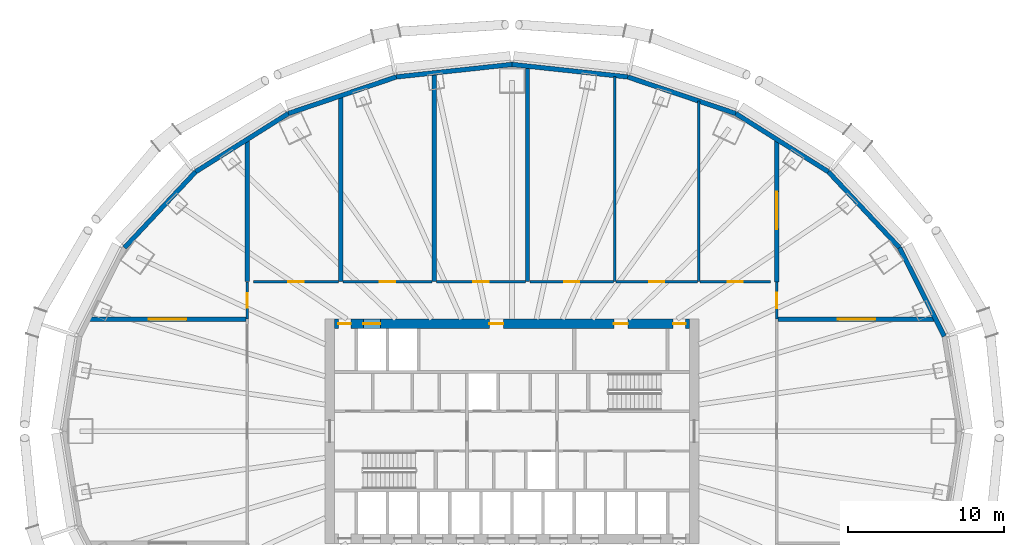
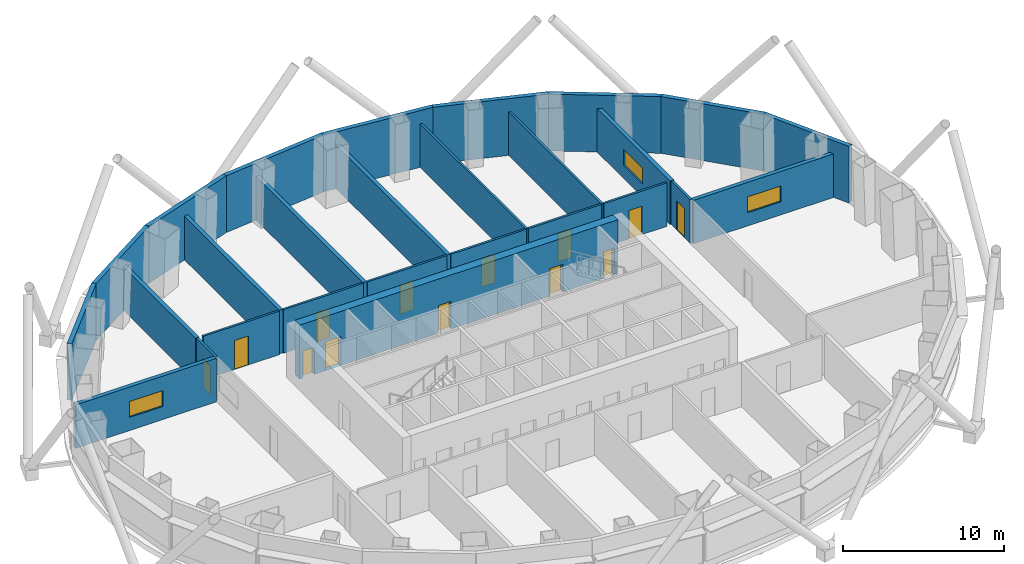
# One storey, part 6 of 14: 27 walls, 13 doors, 3 windows, 16 openings.
"""IFC4 building model written with IfcOpenShell, lengths in metres."""

from ifc_helpers import new_model, si_unit, direction, frame, frame_2d, origin, place, context, subcontext, project, spatial, rectangle, extrude, material, layer, layer_set, type_object, element, fill, save


model = new_model("IFC4")

# Units and contexts
model_context = context("Model", 3, precision=1e-05, world=origin(), true_north=direction((0.0, 1.0)))
body_context = subcontext(model_context, "Body", "Model", "MODEL_VIEW")
ifc_project = project(units=[si_unit("LENGTHUNIT", "METRE"), si_unit("AREAUNIT", "SQUARE_METRE"), si_unit("VOLUMEUNIT", "CUBIC_METRE"), si_unit("PLANEANGLEUNIT", "RADIAN"), si_unit("MASSUNIT", "GRAM", prefix="KILO")], contexts=[model_context])

# Site, building, storey
site_placement = place(None, origin())
site = spatial("IfcSite", under=ifc_project, at=site_placement, CompositionType="ELEMENT")
building_placement = place(site_placement, origin())
building = spatial("IfcBuilding", under=site, at=building_placement, Name="Siaravel Broadcast Tower", CompositionType="ELEMENT")
storey_placement = place(building_placement, frame((0.0, 0.0, 20.0)))
storey = spatial("IfcBuildingStorey", under=building, at=storey_placement, Name="L03", CompositionType="ELEMENT", Elevation=20.0)

# Walls
ifc_material_1 = material(Name="Double-leaf acoustic partition", Category="gypsum")
ifc_layer_1 = layer(ifc_material_1, 0.280029296875)
ifc_layer_set_1 = layer_set([ifc_layer_1], Name="Double-leaf acoustic partition")
wall_type_1 = type_object("IfcWallType", Name="Acoustic double-leaf wall 280", PredefinedType="PARTITIONING", material=ifc_layer_set_1)
wall_1_placement = place(storey_placement, frame((1.0, 9.60009765625, 0.0), z_axis=(0.0, 0.0, 1.0), x_axis=(0.0, 1.0, 0.0)))
element("IfcWall", 1, at=wall_1_placement, inside=storey, type_object=wall_type_1, Name="L03 partition 4", PredefinedType="PARTITIONING", context=body_context, shape_type="SweptSolid", body=[
    extrude(rectangle(XDim=13.80029296875, YDim=0.280029296875, at=frame_2d((6.900146484375, 0.0))), origin(), (0.0, 0.0, 1.0), 3.300048828125),
])
wall_2_placement = place(storey_placement, frame((-5.0, 9.60009765625, 0.0), z_axis=(0.0, 0.0, 1.0), x_axis=(0.0, 1.0, 0.0)))
element("IfcWall", 2, at=wall_2_placement, inside=storey, type_object=wall_type_1, Name="L03 partition 5", PredefinedType="PARTITIONING", context=body_context, shape_type="SweptSolid", body=[
    extrude(rectangle(XDim=13.426025390625, YDim=0.280029296875, at=frame_2d((6.712890625, 0.0))), origin(), (0.0, 0.0, 1.0), 3.300048828125),
])
wall_3_placement = place(storey_placement, frame((-11.0, 9.60009765625, 0.0), z_axis=(0.0, 0.0, 1.0), x_axis=(0.0, 1.0, 0.0)))
element("IfcWall", 3, at=wall_3_placement, inside=storey, type_object=wall_type_1, Name="L03 partition 9", PredefinedType="PARTITIONING", context=body_context, shape_type="SweptSolid", body=[
    extrude(rectangle(XDim=11.9619140625, YDim=0.280029296875, at=frame_2d((5.98095703125, 0.0))), origin(), (0.0, 0.0, 1.0), 3.300048828125),
])

# Wall, opening, window
wall_4_placement = place(storey_placement, frame((-17.076904296875, 7.199951171875, 0.0), z_axis=(0.0, 0.0, 1.0), x_axis=(-1.0, 0.0, 0.0)))
wall_4 = element("IfcWall", 4, at=wall_4_placement, inside=storey, type_object=wall_type_1, Name="L03 partition 14", PredefinedType="PARTITIONING", context=body_context, shape_type="SweptSolid", body=[
    extrude(rectangle(XDim=10.0859375, YDim=0.280029296875, at=frame_2d((5.04296875, 0.0))), origin(), (0.0, 0.0, 1.0), 3.300048828125),
])
opening_1_placement = place(wall_4_placement, frame((3.843017578125, 0.0, 1.0)))
opening_1 = element("IfcOpeningElement", 5, at=opening_1_placement, cuts=wall_4, Name="Opening L03-W03", PredefinedType="OPENING", context=body_context, shape_type="SweptSolid", body=[
    extrude(rectangle(XDim=2.39990234375, YDim=1.199951171875, at=frame_2d((1.199951171875, 0.60009765625))), frame((0.0, 0.14990234375, 0.0), z_axis=(0.0, -1.0, 0.0), x_axis=(1.0, 0.0, 0.0)), (0.0, 0.0, 1.0), 0.300048828125),
])
ifc_material_2 = material(Name="Laminated acoustic glass", Category="glass")
window_type = type_object("IfcWindowType", Name="Control room window 2400", PartitioningType="DOUBLE_PANEL_VERTICAL", PredefinedType="WINDOW", material=ifc_material_2)
window_1_placement = place(opening_1_placement, origin())
window_1 = element("IfcWindow", 6, at=window_1_placement, inside=storey, type_object=window_type, Name="L03 observation window 3", OverallHeight=1.199951171875, OverallWidth=2.39990234375, PartitioningType="SINGLE_PANEL", PredefinedType="WINDOW", context=body_context, shape_type="SweptSolid", body=[
    extrude(rectangle(XDim=2.39990234375, YDim=1.199951171875, at=frame_2d((1.199951171875, 0.60009765625))), frame((0.0, 0.030029296875, 0.0), z_axis=(0.0, -1.0, 0.0), x_axis=(1.0, 0.0, 0.0)), (0.0, 0.0, 1.0), 0.06005859375),
])
fill(opening_1, window_1)

wall_5_placement = place(storey_placement, frame((27.162841796875, 7.199951171875, 0.0), z_axis=(0.0, 0.0, 1.0), x_axis=(-1.0, 0.0, 0.0)))
wall_5 = element("IfcWall", 7, at=wall_5_placement, inside=storey, type_object=wall_type_1, Name="L03 partition 16", PredefinedType="PARTITIONING", context=body_context, shape_type="SweptSolid", body=[
    extrude(rectangle(XDim=10.07080078125, YDim=0.280029296875, at=frame_2d((5.035400390625, 0.0))), origin(), (0.0, 0.0, 1.0), 3.300048828125),
])
opening_2_placement = place(wall_5_placement, frame((3.83544921875, 0.0, 1.0)))
opening_2 = element("IfcOpeningElement", 8, at=opening_2_placement, cuts=wall_5, Name="Opening L03-W04", PredefinedType="OPENING", context=body_context, shape_type="SweptSolid", body=[
    extrude(rectangle(XDim=2.39990234375, YDim=1.199951171875, at=frame_2d((1.199951171875, 0.60009765625))), frame((0.0, 0.14990234375, 0.0), z_axis=(0.0, -1.0, 0.0), x_axis=(1.0, 0.0, 0.0)), (0.0, 0.0, 1.0), 0.300048828125),
])
window_2_placement = place(opening_2_placement, origin())
window_2 = element("IfcWindow", 9, at=window_2_placement, inside=storey, type_object=window_type, Name="L03 observation window 4", OverallHeight=1.199951171875, OverallWidth=2.39990234375, PartitioningType="SINGLE_PANEL", PredefinedType="WINDOW", context=body_context, shape_type="SweptSolid", body=[
    extrude(rectangle(XDim=2.39990234375, YDim=1.199951171875, at=frame_2d((1.199951171875, 0.60009765625))), frame((0.0, 0.030029296875, 0.0), z_axis=(0.0, -1.0, 0.0), x_axis=(1.0, 0.0, 0.0)), (0.0, 0.0, 1.0), 0.06005859375),
])
fill(opening_2, window_2)

wall_6_placement = place(storey_placement, frame((17.0, 9.587890625, 0.0), z_axis=(0.0, 0.0, 1.0), x_axis=(0.0, 1.0, 0.0)))
wall_6 = element("IfcWall", 10, at=wall_6_placement, inside=storey, type_object=wall_type_1, Name="L03 partition 18", PredefinedType="PARTITIONING", context=body_context, shape_type="SweptSolid", body=[
    extrude(rectangle(XDim=9.188720703125, YDim=0.280029296875, at=frame_2d((4.59423828125, 0.0))), origin(), (0.0, 0.0, 1.0), 3.300048828125),
])
opening_3_placement = place(wall_6_placement, frame((3.394287109375, 0.0, 1.0)))
opening_3 = element("IfcOpeningElement", 11, at=opening_3_placement, cuts=wall_6, Name="Opening L03-W05", PredefinedType="OPENING", context=body_context, shape_type="SweptSolid", body=[
    extrude(rectangle(XDim=2.39990234375, YDim=1.199951171875, at=frame_2d((1.199951171875, 0.60009765625))), frame((0.0, 0.14990234375, 0.0), z_axis=(0.0, -1.0, 0.0), x_axis=(1.0, 0.0, 0.0)), (0.0, 0.0, 1.0), 0.300048828125),
])
window_3_placement = place(opening_3_placement, origin())
window_3 = element("IfcWindow", 12, at=window_3_placement, inside=storey, type_object=window_type, Name="L03 observation window 5", OverallHeight=1.199951171875, OverallWidth=2.39990234375, PartitioningType="SINGLE_PANEL", PredefinedType="WINDOW", context=body_context, shape_type="SweptSolid", body=[
    extrude(rectangle(XDim=2.39990234375, YDim=1.199951171875, at=frame_2d((1.199951171875, 0.60009765625))), frame((0.0, 0.030029296875, 0.0), z_axis=(0.0, -1.0, 0.0), x_axis=(1.0, 0.0, 0.0)), (0.0, 0.0, 1.0), 0.06005859375),
])
fill(opening_3, window_3)

# Walls
wall_7_placement = place(storey_placement, frame((-17.0, 9.60009765625, 0.0), z_axis=(0.0, 0.0, 1.0), x_axis=(0.0, 1.0, 0.0)))
element("IfcWall", 13, at=wall_7_placement, inside=storey, type_object=wall_type_1, Name="L03 partition 20", PredefinedType="PARTITIONING", context=body_context, shape_type="SweptSolid", body=[
    extrude(rectangle(XDim=9.176513671875, YDim=0.280029296875, at=frame_2d((4.58837890625, 0.0))), origin(), (0.0, 0.0, 1.0), 3.300048828125),
])
ifc_material_3 = material(Name="Concrete C40/50", Category="concrete")
ifc_layer_2 = layer(ifc_material_3, 0.300048828125)
ifc_layer_set_2 = layer_set([ifc_layer_2], Name="Concrete C40/50")
wall_type_2 = type_object("IfcWallType", Name="Acoustic studio wall", PredefinedType="STANDARD", material=ifc_layer_set_2)
wall_8_placement = place(storey_placement, frame((27.76904296875, 6.099853515625, 0.0), z_axis=(0.0, 0.0, 1.0), x_axis=(-0.451226804, 0.892409307, 0.0)))
element("IfcWall", 14, at=wall_8_placement, inside=storey, type_object=wall_type_2, Name="L03 studio acoustic wall 02", PredefinedType="STANDARD", context=body_context, shape_type="SweptSolid", body=[
    extrude(rectangle(XDim=6.3681640625, YDim=0.300048828125, at=frame_2d((3.18408203125, 0.0))), origin(), (0.0, 0.0, 1.0), 4.300048828125),
])
wall_9_placement = place(storey_placement, frame((24.8955078125, 11.782958984375, 0.0), z_axis=(0.0, 0.0, 1.0), x_axis=(-0.683685967, 0.729776335, 0.0)))
element("IfcWall", 15, at=wall_9_placement, inside=storey, type_object=wall_type_2, Name="L03 studio acoustic wall 03", PredefinedType="STANDARD", context=body_context, shape_type="SweptSolid", body=[
    extrude(rectangle(XDim=6.684814453125, YDim=0.300048828125, at=frame_2d((3.34228515625, 0.0))), origin(), (0.0, 0.0, 1.0), 4.300048828125),
])
wall_10_placement = place(storey_placement, frame((20.3251953125, 16.661376953125, 0.0), z_axis=(0.0, 0.0, 1.0), x_axis=(-0.846645934, 0.532156615, 0.0)))
element("IfcWall", 16, at=wall_10_placement, inside=storey, type_object=wall_type_2, Name="L03 studio acoustic wall 04", PredefinedType="STANDARD", context=body_context, shape_type="SweptSolid", body=[
    extrude(rectangle(XDim=7.032470703125, YDim=0.300048828125, at=frame_2d((3.51611328125, 0.0))), origin(), (0.0, 0.0, 1.0), 4.300048828125),
])
wall_11_placement = place(storey_placement, frame((14.37109375, 20.40380859375, 0.0), z_axis=(0.0, 0.0, 1.0), x_axis=(-0.946978882, 0.321295811, 0.0)))
element("IfcWall", 17, at=wall_11_placement, inside=storey, type_object=wall_type_2, Name="L03 studio acoustic wall 05", PredefinedType="STANDARD", context=body_context, shape_type="SweptSolid", body=[
    extrude(rectangle(XDim=7.320556640625, YDim=0.300048828125, at=frame_2d((3.66015625, 0.0))), origin(), (0.0, 0.0, 1.0), 4.300048828125),
])
for number, where, z_axis, x_axis, name in (
    (18, (7.438720703125, 22.755859375, 0.0), (0.0, 0.0, 1.0), (-0.994234721, 0.10722555, 0.0), "L03 studio acoustic wall 06"),
    (19, (0.0, 23.55810546875, 0.0), (0.0, 0.0, 1.0), (-0.994234721, -0.10722555, 0.0), "L03 studio acoustic wall 07"),
):
    element("IfcWall", number, at=place(storey_placement, frame(where, z_axis=z_axis, x_axis=x_axis)), inside=storey, type_object=wall_type_2, Name=name, PredefinedType="STANDARD", context=body_context, shape_type="SweptSolid", body=[
        extrude(rectangle(XDim=7.48193359375, YDim=0.300048828125, at=frame_2d((3.740966796875, 0.0))), origin(), (0.0, 0.0, 1.0), 4.300048828125),
    ])
wall_12_placement = place(storey_placement, frame((-7.438720703125, 22.755859375, 0.0), z_axis=(0.0, 0.0, 1.0), x_axis=(-0.946978882, -0.321295811, 0.0)))
element("IfcWall", 20, at=wall_12_placement, inside=storey, type_object=wall_type_2, Name="L03 studio acoustic wall 08", PredefinedType="STANDARD", context=body_context, shape_type="SweptSolid", body=[
    extrude(rectangle(XDim=7.320556640625, YDim=0.300048828125, at=frame_2d((3.66015625, 0.0))), origin(), (0.0, 0.0, 1.0), 4.300048828125),
])
wall_13_placement = place(storey_placement, frame((-14.37109375, 20.40380859375, 0.0), z_axis=(0.0, 0.0, 1.0), x_axis=(-0.846645934, -0.532156615, 0.0)))
element("IfcWall", 21, at=wall_13_placement, inside=storey, type_object=wall_type_2, Name="L03 studio acoustic wall 09", PredefinedType="STANDARD", context=body_context, shape_type="SweptSolid", body=[
    extrude(rectangle(XDim=7.032470703125, YDim=0.300048828125, at=frame_2d((3.51611328125, 0.0))), origin(), (0.0, 0.0, 1.0), 4.300048828125),
])
wall_14_placement = place(storey_placement, frame((-20.3251953125, 16.661376953125, 0.0), z_axis=(0.0, 0.0, 1.0), x_axis=(-0.683685967, -0.729776335, 0.0)))
element("IfcWall", 22, at=wall_14_placement, inside=storey, type_object=wall_type_2, Name="L03 studio acoustic wall 10", PredefinedType="STANDARD", context=body_context, shape_type="SweptSolid", body=[
    extrude(rectangle(XDim=6.684814453125, YDim=0.300048828125, at=frame_2d((3.34228515625, 0.0))), origin(), (0.0, 0.0, 1.0), 4.300048828125),
])

# Wall, openings, doors
ifc_material_4 = material(Name="Concrete C60/75", Category="concrete")
ifc_layer_3 = layer(ifc_material_4, 0.60009765625)
ifc_layer_set_3 = layer_set([ifc_layer_3], Name="Concrete C60/75")
wall_type_3 = type_object("IfcWallType", Name="Core wall 600", PredefinedType="SHEAR", material=ifc_layer_set_3)
wall_15_placement = place(storey_placement, frame((-11.39990234375, 6.89990234375, 0.0), z_axis=(0.0, 0.0, 1.0), x_axis=(1.0, 0.0, 0.0)))
wall_15 = element("IfcWall", 23, at=wall_15_placement, inside=storey, type_object=wall_type_3, Name="L03 core wall ON", PredefinedType="SHEAR", context=body_context, shape_type="SweptSolid", body=[
    extrude(rectangle(XDim=22.7998046875, YDim=0.60009765625, at=frame_2d((11.39990234375, 0.0))), origin(), (0.0, 0.0, 1.0), 4.10009765625),
])
opening_4_placement = place(wall_15_placement, frame((1.85009765625, 0.0, 0.0)))
opening_4 = element("IfcOpeningElement", 24, at=opening_4_placement, cuts=wall_15, Name="Opening LD-SV2-L03", PredefinedType="OPENING", context=body_context, shape_type="SweptSolid", body=[
    extrude(rectangle(XDim=1.10009765625, YDim=2.199951171875, at=frame_2d((0.550048828125, 1.10009765625))), frame((0.0, 0.31005859375, 0.0), z_axis=(0.0, -1.0, 0.0), x_axis=(1.0, 0.0, 0.0)), (0.0, 0.0, 1.0), 0.6201171875),
])
opening_5_placement = place(wall_15_placement, frame((9.949951171875, 0.0, 0.0)))
opening_5 = element("IfcOpeningElement", 25, at=opening_5_placement, cuts=wall_15, Name="Opening L03-DFN2", PredefinedType="OPENING", context=body_context, shape_type="SweptSolid", body=[
    extrude(rectangle(XDim=0.89990234375, YDim=2.10009765625, at=frame_2d((0.449951171875, 1.050048828125))), frame((0.0, 0.31005859375, 0.0), z_axis=(0.0, -1.0, 0.0), x_axis=(1.0, 0.0, 0.0)), (0.0, 0.0, 1.0), 0.6201171875),
])
opening_6_placement = place(wall_15_placement, frame((17.949951171875, 0.0, 0.0)))
opening_6 = element("IfcOpeningElement", 26, at=opening_6_placement, cuts=wall_15, Name="Opening L03-DFN7", PredefinedType="OPENING", context=body_context, shape_type="SweptSolid", body=[
    extrude(rectangle(XDim=0.89990234375, YDim=2.10009765625, at=frame_2d((0.449951171875, 1.050048828125))), frame((0.0, 0.31005859375, 0.0), z_axis=(0.0, -1.0, 0.0), x_axis=(1.0, 0.0, 0.0)), (0.0, 0.0, 1.0), 0.6201171875),
])
opening_7_placement = place(wall_15_placement, frame((0.25, 0.0, 0.0)))
opening_7 = element("IfcOpeningElement", 27, at=opening_7_placement, cuts=wall_15, Name="Opening L03-DRNW", PredefinedType="OPENING", context=body_context, shape_type="SweptSolid", body=[
    extrude(rectangle(XDim=0.800048828125, YDim=2.050048828125, at=frame_2d((0.39990234375, 1.02490234375))), frame((0.0, 0.31005859375, 0.0), z_axis=(0.0, -1.0, 0.0), x_axis=(1.0, 0.0, 0.0)), (0.0, 0.0, 1.0), 0.6201171875),
])
opening_8_placement = place(wall_15_placement, frame((21.75, 0.0, 0.0)))
opening_8 = element("IfcOpeningElement", 28, at=opening_8_placement, cuts=wall_15, Name="Opening L03-DRNE", PredefinedType="OPENING", context=body_context, shape_type="SweptSolid", body=[
    extrude(rectangle(XDim=0.800048828125, YDim=2.050048828125, at=frame_2d((0.39990234375, 1.02490234375))), frame((0.0, 0.31005859375, 0.0), z_axis=(0.0, -1.0, 0.0), x_axis=(1.0, 0.0, 0.0)), (0.0, 0.0, 1.0), 0.6201171875),
])
ifc_material_5 = material(Name="Timber veneer", Category="wood")
door_type_1 = type_object("IfcDoorType", Name="Core room door 900", OperationType="SINGLE_SWING_LEFT", PredefinedType="DOOR", material=ifc_material_5)
door_1_placement = place(opening_5_placement, origin())
door_1 = element("IfcDoor", 29, at=door_1_placement, inside=storey, type_object=door_type_1, Name="L03 door DFN2", OperationType="SINGLE_SWING_LEFT", OverallHeight=2.10009765625, OverallWidth=0.89990234375, PredefinedType="DOOR", context=body_context, shape_type="SweptSolid", body=[
    extrude(rectangle(XDim=0.89990234375, YDim=2.10009765625, at=frame_2d((0.449951171875, 1.050048828125))), frame((0.0, 0.02490234375, 0.0), z_axis=(0.0, -1.0, 0.0), x_axis=(1.0, 0.0, 0.0)), (0.0, 0.0, 1.0), 0.050048828125),
])
fill(opening_5, door_1)
door_2_placement = place(opening_6_placement, origin())
door_2 = element("IfcDoor", 30, at=door_2_placement, inside=storey, type_object=door_type_1, Name="L03 door DFN7", OperationType="SINGLE_SWING_LEFT", OverallHeight=2.10009765625, OverallWidth=0.89990234375, PredefinedType="DOOR", context=body_context, shape_type="SweptSolid", body=[
    extrude(rectangle(XDim=0.89990234375, YDim=2.10009765625, at=frame_2d((0.449951171875, 1.050048828125))), frame((0.0, 0.02490234375, 0.0), z_axis=(0.0, -1.0, 0.0), x_axis=(1.0, 0.0, 0.0)), (0.0, 0.0, 1.0), 0.050048828125),
])
fill(opening_6, door_2)
ifc_material_6 = material(Name="Steel", Category="steel")
door_type_2 = type_object("IfcDoorType", Name="Riser door 800", OperationType="SINGLE_SWING_LEFT", PredefinedType="DOOR", material=ifc_material_6)
door_3_placement = place(opening_7_placement, origin())
door_3 = element("IfcDoor", 31, at=door_3_placement, inside=storey, type_object=door_type_2, Name="L03 door DRNW", OperationType="SINGLE_SWING_LEFT", OverallHeight=2.050048828125, OverallWidth=0.800048828125, PredefinedType="DOOR", context=body_context, shape_type="SweptSolid", body=[
    extrude(rectangle(XDim=0.800048828125, YDim=2.050048828125, at=frame_2d((0.39990234375, 1.02490234375))), frame((0.0, 0.02490234375, 0.0), z_axis=(0.0, -1.0, 0.0), x_axis=(1.0, 0.0, 0.0)), (0.0, 0.0, 1.0), 0.050048828125),
])
fill(opening_7, door_3)
door_4_placement = place(opening_8_placement, origin())
door_4 = element("IfcDoor", 32, at=door_4_placement, inside=storey, type_object=door_type_2, Name="L03 door DRNE", OperationType="SINGLE_SWING_LEFT", OverallHeight=2.050048828125, OverallWidth=0.800048828125, PredefinedType="DOOR", context=body_context, shape_type="SweptSolid", body=[
    extrude(rectangle(XDim=0.800048828125, YDim=2.050048828125, at=frame_2d((0.39990234375, 1.02490234375))), frame((0.0, 0.02490234375, 0.0), z_axis=(0.0, -1.0, 0.0), x_axis=(1.0, 0.0, 0.0)), (0.0, 0.0, 1.0), 0.050048828125),
])
fill(opening_8, door_4)
ifc_material_7 = material(Name="Stainless steel 316L", Category="steel")
door_type_3 = type_object("IfcDoorType", Name="Service lift landing door 1100", OperationType="DOUBLE_DOOR_SLIDING", PredefinedType="DOOR", material=ifc_material_7)
door_5_placement = place(opening_4_placement, origin())
door_5 = element("IfcDoor", 33, at=door_5_placement, inside=storey, type_object=door_type_3, Name="Landing door SV2 L03", OperationType="DOUBLE_DOOR_SLIDING", OverallHeight=2.199951171875, OverallWidth=1.10009765625, PredefinedType="DOOR", context=body_context, shape_type="SweptSolid", body=[
    extrude(rectangle(XDim=1.10009765625, YDim=2.199951171875, at=frame_2d((0.550048828125, 1.10009765625))), frame((0.0, 0.02490234375, 0.0), z_axis=(0.0, -1.0, 0.0), x_axis=(1.0, 0.0, 0.0)), (0.0, 0.0, 1.0), 0.050048828125),
])
fill(opening_4, door_5)

# Wall, opening, door
ifc_material_8 = material(Name="Gypsum board partition", Category="gypsum")
ifc_layer_4 = layer(ifc_material_8, 0.14990234375)
ifc_layer_set_4 = layer_set([ifc_layer_4], Name="Gypsum board partition")
wall_type_4 = type_object("IfcWallType", Name="Corridor wall 150", PredefinedType="PARTITIONING", material=ifc_layer_set_4)
wall_16_placement = place(storey_placement, frame((-5.14208984375, 9.60009765625, 0.0), z_axis=(0.0, 0.0, 1.0), x_axis=(-1.0, 0.0, 0.0)))
wall_16 = element("IfcWall", 34, at=wall_16_placement, inside=storey, type_object=wall_type_4, Name="L03 partition 22", PredefinedType="PARTITIONING", context=body_context, shape_type="SweptSolid", body=[
    extrude(rectangle(XDim=5.7158203125, YDim=0.14990234375, at=frame_2d((2.85791015625, 0.0))), origin(), (0.0, 0.0, 1.0), 3.300048828125),
])
opening_9_placement = place(wall_16_placement, frame((2.35791015625, 0.0, 0.0)))
opening_9 = element("IfcOpeningElement", 35, at=opening_9_placement, cuts=wall_16, Name="Opening L03-005", PredefinedType="OPENING", context=body_context, shape_type="SweptSolid", body=[
    extrude(rectangle(XDim=1.0, YDim=2.199951171875, at=frame_2d((0.5, 1.10009765625))), frame((0.0, 0.0849609375, 0.0), z_axis=(0.0, -1.0, 0.0), x_axis=(1.0, 0.0, 0.0)), (0.0, 0.0, 1.0), 0.169921875),
])
ifc_material_9 = material(Name="Acoustic timber and steel", Category="steel")
door_type_4 = type_object("IfcDoorType", Name="Acoustic door 1000", OperationType="SINGLE_SWING_LEFT", PredefinedType="DOOR", material=ifc_material_9)
door_6_placement = place(opening_9_placement, origin())
door_6 = element("IfcDoor", 36, at=door_6_placement, inside=storey, type_object=door_type_4, Name="L03 door to Edit suite", OperationType="SINGLE_SWING_LEFT", OverallHeight=2.199951171875, OverallWidth=1.0, PredefinedType="DOOR", context=body_context, shape_type="SweptSolid", body=[
    extrude(rectangle(XDim=1.0, YDim=2.199951171875, at=frame_2d((0.5, 1.10009765625))), frame((0.0, 0.02490234375, 0.0), z_axis=(0.0, -1.0, 0.0), x_axis=(1.0, 0.0, 0.0)), (0.0, 0.0, 1.0), 0.050048828125),
])
fill(opening_9, door_6)

wall_17_placement = place(storey_placement, frame((0.85791015625, 9.60009765625, 0.0), z_axis=(0.0, 0.0, 1.0), x_axis=(-1.0, 0.0, 0.0)))
wall_17 = element("IfcWall", 37, at=wall_17_placement, inside=storey, type_object=wall_type_4, Name="L03 partition 23", PredefinedType="PARTITIONING", context=body_context, shape_type="SweptSolid", body=[
    extrude(rectangle(XDim=5.7158203125, YDim=0.14990234375, at=frame_2d((2.85791015625, 0.0))), origin(), (0.0, 0.0, 1.0), 3.300048828125),
])
opening_10_placement = place(wall_17_placement, frame((2.35791015625, 0.0, 0.0)))
opening_10 = element("IfcOpeningElement", 38, at=opening_10_placement, cuts=wall_17, Name="Opening L03-006", PredefinedType="OPENING", context=body_context, shape_type="SweptSolid", body=[
    extrude(rectangle(XDim=1.0, YDim=2.199951171875, at=frame_2d((0.5, 1.10009765625))), frame((0.0, 0.0849609375, 0.0), z_axis=(0.0, -1.0, 0.0), x_axis=(1.0, 0.0, 0.0)), (0.0, 0.0, 1.0), 0.169921875),
])
door_7_placement = place(opening_10_placement, origin())
door_7 = element("IfcDoor", 39, at=door_7_placement, inside=storey, type_object=door_type_4, Name="L03 door to Edit suite", OperationType="SINGLE_SWING_RIGHT", OverallHeight=2.199951171875, OverallWidth=1.0, PredefinedType="DOOR", context=body_context, shape_type="SweptSolid", body=[
    extrude(rectangle(XDim=1.0, YDim=2.199951171875, at=frame_2d((0.5, 1.10009765625))), frame((0.0, 0.02490234375, 0.0), z_axis=(0.0, -1.0, 0.0), x_axis=(1.0, 0.0, 0.0)), (0.0, 0.0, 1.0), 0.050048828125),
])
fill(opening_10, door_7)

wall_18_placement = place(storey_placement, frame((-11.14208984375, 9.60009765625, 0.0), z_axis=(0.0, 0.0, 1.0), x_axis=(-1.0, 0.0, 0.0)))
wall_18 = element("IfcWall", 40, at=wall_18_placement, inside=storey, type_object=wall_type_4, Name="L03 partition 24", PredefinedType="PARTITIONING", context=body_context, shape_type="SweptSolid", body=[
    extrude(rectangle(XDim=5.469970703125, YDim=0.14990234375, at=frame_2d((2.73486328125, 0.0))), origin(), (0.0, 0.0, 1.0), 3.300048828125),
])
opening_11_placement = place(wall_18_placement, frame((2.235107421875, 0.0, 0.0)))
opening_11 = element("IfcOpeningElement", 41, at=opening_11_placement, cuts=wall_18, Name="Opening L03-004", PredefinedType="OPENING", context=body_context, shape_type="SweptSolid", body=[
    extrude(rectangle(XDim=1.0, YDim=2.199951171875, at=frame_2d((0.5, 1.10009765625))), frame((0.0, 0.0849609375, 0.0), z_axis=(0.0, -1.0, 0.0), x_axis=(1.0, 0.0, 0.0)), (0.0, 0.0, 1.0), 0.169921875),
])
door_8_placement = place(opening_11_placement, origin())
door_8 = element("IfcDoor", 42, at=door_8_placement, inside=storey, type_object=door_type_4, Name="L03 door to Edit suite", OperationType="SINGLE_SWING_RIGHT", OverallHeight=2.199951171875, OverallWidth=1.0, PredefinedType="DOOR", context=body_context, shape_type="SweptSolid", body=[
    extrude(rectangle(XDim=1.0, YDim=2.199951171875, at=frame_2d((0.5, 1.10009765625))), frame((0.0, 0.02490234375, 0.0), z_axis=(0.0, -1.0, 0.0), x_axis=(1.0, 0.0, 0.0)), (0.0, 0.0, 1.0), 0.050048828125),
])
fill(opening_11, door_8)

wall_19_placement = place(storey_placement, frame((6.52294921875, 9.60009765625, 0.0), z_axis=(0.0, 0.0, 1.0), x_axis=(-1.0, 0.0, 0.0)))
wall_19 = element("IfcWall", 43, at=wall_19_placement, inside=storey, type_object=wall_type_4, Name="L03 partition 28", PredefinedType="PARTITIONING", context=body_context, shape_type="SweptSolid", body=[
    extrude(rectangle(XDim=5.380859375, YDim=0.14990234375, at=frame_2d((2.6904296875, 0.0))), origin(), (0.0, 0.0, 1.0), 3.300048828125),
])
opening_12_placement = place(wall_19_placement, frame((2.215576171875, 0.0, 0.0)))
opening_12 = element("IfcOpeningElement", 44, at=opening_12_placement, cuts=wall_19, Name="Opening L03-007", PredefinedType="OPENING", context=body_context, shape_type="SweptSolid", body=[
    extrude(rectangle(XDim=0.949951171875, YDim=2.14990234375, at=frame_2d((0.47509765625, 1.074951171875))), frame((0.0, 0.0849609375, 0.0), z_axis=(0.0, -1.0, 0.0), x_axis=(1.0, 0.0, 0.0)), (0.0, 0.0, 1.0), 0.169921875),
])
door_type_5 = type_object("IfcDoorType", Name="Office door 950", OperationType="SINGLE_SWING_LEFT", PredefinedType="DOOR", material=ifc_material_5)
door_9_placement = place(opening_12_placement, origin())
door_9 = element("IfcDoor", 45, at=door_9_placement, inside=storey, type_object=door_type_5, Name="L03 door to Colour grading suite", OperationType="SINGLE_SWING_LEFT", OverallHeight=2.14990234375, OverallWidth=0.949951171875, PredefinedType="DOOR", context=body_context, shape_type="SweptSolid", body=[
    extrude(rectangle(XDim=0.949951171875, YDim=2.14990234375, at=frame_2d((0.47509765625, 1.074951171875))), frame((0.0, 0.02490234375, 0.0), z_axis=(0.0, -1.0, 0.0), x_axis=(1.0, 0.0, 0.0)), (0.0, 0.0, 1.0), 0.050048828125),
])
fill(opening_12, door_9)

wall_20_placement = place(storey_placement, frame((11.923095703125, 9.60009765625, 0.0), z_axis=(0.0, 0.0, 1.0), x_axis=(-1.0, 0.0, 0.0)))
wall_20 = element("IfcWall", 46, at=wall_20_placement, inside=storey, type_object=wall_type_4, Name="L03 partition 29", PredefinedType="PARTITIONING", context=body_context, shape_type="SweptSolid", body=[
    extrude(rectangle(XDim=5.24609375, YDim=0.14990234375, at=frame_2d((2.623046875, 0.0))), origin(), (0.0, 0.0, 1.0), 3.300048828125),
])
opening_13_placement = place(wall_20_placement, frame((2.14794921875, 0.0, 0.0)))
opening_13 = element("IfcOpeningElement", 47, at=opening_13_placement, cuts=wall_20, Name="Opening L03-008", PredefinedType="OPENING", context=body_context, shape_type="SweptSolid", body=[
    extrude(rectangle(XDim=0.949951171875, YDim=2.14990234375, at=frame_2d((0.47509765625, 1.074951171875))), frame((0.0, 0.0849609375, 0.0), z_axis=(0.0, -1.0, 0.0), x_axis=(1.0, 0.0, 0.0)), (0.0, 0.0, 1.0), 0.169921875),
])
door_10_placement = place(opening_13_placement, origin())
door_10 = element("IfcDoor", 48, at=door_10_placement, inside=storey, type_object=door_type_5, Name="L03 door to Ingest room", OperationType="SINGLE_SWING_RIGHT", OverallHeight=2.14990234375, OverallWidth=0.949951171875, PredefinedType="DOOR", context=body_context, shape_type="SweptSolid", body=[
    extrude(rectangle(XDim=0.949951171875, YDim=2.14990234375, at=frame_2d((0.47509765625, 1.074951171875))), frame((0.0, 0.02490234375, 0.0), z_axis=(0.0, -1.0, 0.0), x_axis=(1.0, 0.0, 0.0)), (0.0, 0.0, 1.0), 0.050048828125),
])
fill(opening_13, door_10)

wall_21_placement = place(storey_placement, frame((16.612060546875, 9.60009765625, 0.0), z_axis=(0.0, 0.0, 1.0), x_axis=(-1.0, 0.0, 0.0)))
wall_21 = element("IfcWall", 49, at=wall_21_placement, inside=storey, type_object=wall_type_4, Name="L03 partition 32", PredefinedType="PARTITIONING", context=body_context, shape_type="SweptSolid", body=[
    extrude(rectangle(XDim=4.53515625, YDim=0.14990234375, at=frame_2d((2.267578125, 0.0))), origin(), (0.0, 0.0, 1.0), 3.300048828125),
])
opening_14_placement = place(wall_21_placement, frame((1.79248046875, 0.0, 0.0)))
opening_14 = element("IfcOpeningElement", 50, at=opening_14_placement, cuts=wall_21, Name="Opening L03-009", PredefinedType="OPENING", context=body_context, shape_type="SweptSolid", body=[
    extrude(rectangle(XDim=0.949951171875, YDim=2.14990234375, at=frame_2d((0.47509765625, 1.074951171875))), frame((0.0, 0.0849609375, 0.0), z_axis=(0.0, -1.0, 0.0), x_axis=(1.0, 0.0, 0.0)), (0.0, 0.0, 1.0), 0.169921875),
])
door_11_placement = place(opening_14_placement, origin())
door_11 = element("IfcDoor", 51, at=door_11_placement, inside=storey, type_object=door_type_5, Name="L03 door to Media archive", OperationType="SINGLE_SWING_LEFT", OverallHeight=2.14990234375, OverallWidth=0.949951171875, PredefinedType="DOOR", context=body_context, shape_type="SweptSolid", body=[
    extrude(rectangle(XDim=0.949951171875, YDim=2.14990234375, at=frame_2d((0.47509765625, 1.074951171875))), frame((0.0, 0.02490234375, 0.0), z_axis=(0.0, -1.0, 0.0), x_axis=(1.0, 0.0, 0.0)), (0.0, 0.0, 1.0), 0.050048828125),
])
fill(opening_14, door_11)

wall_22_placement = place(storey_placement, frame((-17.0, 9.59912109375, 0.0), z_axis=(0.0, 0.0, 1.0), x_axis=(0.0, -1.0, 0.0)))
wall_22 = element("IfcWall", 52, at=wall_22_placement, inside=storey, type_object=wall_type_4, Name="L03 partition 34", PredefinedType="PARTITIONING", context=body_context, shape_type="SweptSolid", body=[
    extrude(rectangle(XDim=2.398193359375, YDim=0.14990234375, at=frame_2d((1.19921875, 0.0))), origin(), (0.0, 0.0, 1.0), 3.300048828125),
])
opening_15_placement = place(wall_22_placement, frame((0.72412109375, 0.0, 0.0)))
opening_15 = element("IfcOpeningElement", 53, at=opening_15_placement, cuts=wall_22, Name="Opening L03-003", PredefinedType="OPENING", context=body_context, shape_type="SweptSolid", body=[
    extrude(rectangle(XDim=0.949951171875, YDim=2.14990234375, at=frame_2d((0.47509765625, 1.074951171875))), frame((0.0, 0.0849609375, 0.0), z_axis=(0.0, -1.0, 0.0), x_axis=(1.0, 0.0, 0.0)), (0.0, 0.0, 1.0), 0.169921875),
])
door_12_placement = place(opening_15_placement, origin())
door_12 = element("IfcDoor", 54, at=door_12_placement, inside=storey, type_object=door_type_5, Name="L03 door to Post-production room", OperationType="SINGLE_SWING_LEFT", OverallHeight=2.14990234375, OverallWidth=0.949951171875, PredefinedType="DOOR", context=body_context, shape_type="SweptSolid", body=[
    extrude(rectangle(XDim=0.949951171875, YDim=2.14990234375, at=frame_2d((0.47509765625, 1.074951171875))), frame((0.0, 0.02490234375, 0.0), z_axis=(0.0, -1.0, 0.0), x_axis=(1.0, 0.0, 0.0)), (0.0, 0.0, 1.0), 0.050048828125),
])
fill(opening_15, door_12)

wall_23_placement = place(storey_placement, frame((17.0, 7.200927734375, 0.0), z_axis=(0.0, 0.0, 1.0), x_axis=(0.0, 1.0, 0.0)))
wall_23 = element("IfcWall", 55, at=wall_23_placement, inside=storey, type_object=wall_type_4, Name="L03 partition 36", PredefinedType="PARTITIONING", context=body_context, shape_type="SweptSolid", body=[
    extrude(rectangle(XDim=2.385986328125, YDim=0.14990234375, at=frame_2d((1.19287109375, 0.0))), origin(), (0.0, 0.0, 1.0), 3.300048828125),
])
opening_16_placement = place(wall_23_placement, frame((0.693115234375, 0.0, 0.0)))
opening_16 = element("IfcOpeningElement", 56, at=opening_16_placement, cuts=wall_23, Name="Opening L03-018", PredefinedType="OPENING", context=body_context, shape_type="SweptSolid", body=[
    extrude(rectangle(XDim=1.0, YDim=2.199951171875, at=frame_2d((0.5, 1.10009765625))), frame((0.0, 0.0849609375, 0.0), z_axis=(0.0, -1.0, 0.0), x_axis=(1.0, 0.0, 0.0)), (0.0, 0.0, 1.0), 0.169921875),
])
door_13_placement = place(opening_16_placement, origin())
door_13 = element("IfcDoor", 57, at=door_13_placement, inside=storey, type_object=door_type_4, Name="L03 door to Quality control room", OperationType="SINGLE_SWING_RIGHT", OverallHeight=2.199951171875, OverallWidth=1.0, PredefinedType="DOOR", context=body_context, shape_type="SweptSolid", body=[
    extrude(rectangle(XDim=1.0, YDim=2.199951171875, at=frame_2d((0.5, 1.10009765625))), frame((0.0, 0.02490234375, 0.0), z_axis=(0.0, -1.0, 0.0), x_axis=(1.0, 0.0, 0.0)), (0.0, 0.0, 1.0), 0.050048828125),
])
fill(opening_16, door_13)

# Walls
ifc_layer_5 = layer(ifc_material_8, 0.14990234375)
ifc_layer_set_5 = layer_set([ifc_layer_5], Name="Gypsum board partition")
wall_type_5 = type_object("IfcWallType", Name="Room partition 150", PredefinedType="PARTITIONING", material=ifc_layer_set_5)
wall_24_placement = place(storey_placement, frame((6.60009765625, 9.60009765625, 0.0), z_axis=(0.0, 0.0, 1.0), x_axis=(0.0, 1.0, 0.0)))
element("IfcWall", 58, at=wall_24_placement, inside=storey, type_object=wall_type_5, Name="L03 partition 8", PredefinedType="PARTITIONING", context=body_context, shape_type="SweptSolid", body=[
    extrude(rectangle(XDim=13.1962890625, YDim=0.14990234375, at=frame_2d((6.59814453125, 0.0))), origin(), (0.0, 0.0, 1.0), 3.300048828125),
])
wall_25_placement = place(storey_placement, frame((12.0, 9.60009765625, 0.0), z_axis=(0.0, 0.0, 1.0), x_axis=(0.0, 1.0, 0.0)))
element("IfcWall", 59, at=wall_25_placement, inside=storey, type_object=wall_type_5, Name="L03 partition 12", PredefinedType="PARTITIONING", context=body_context, shape_type="SweptSolid", body=[
    extrude(rectangle(XDim=11.62255859375, YDim=0.14990234375, at=frame_2d((5.811279296875, 0.0))), origin(), (0.0, 0.0, 1.0), 3.300048828125),
])

save(model, "model.ifc")
